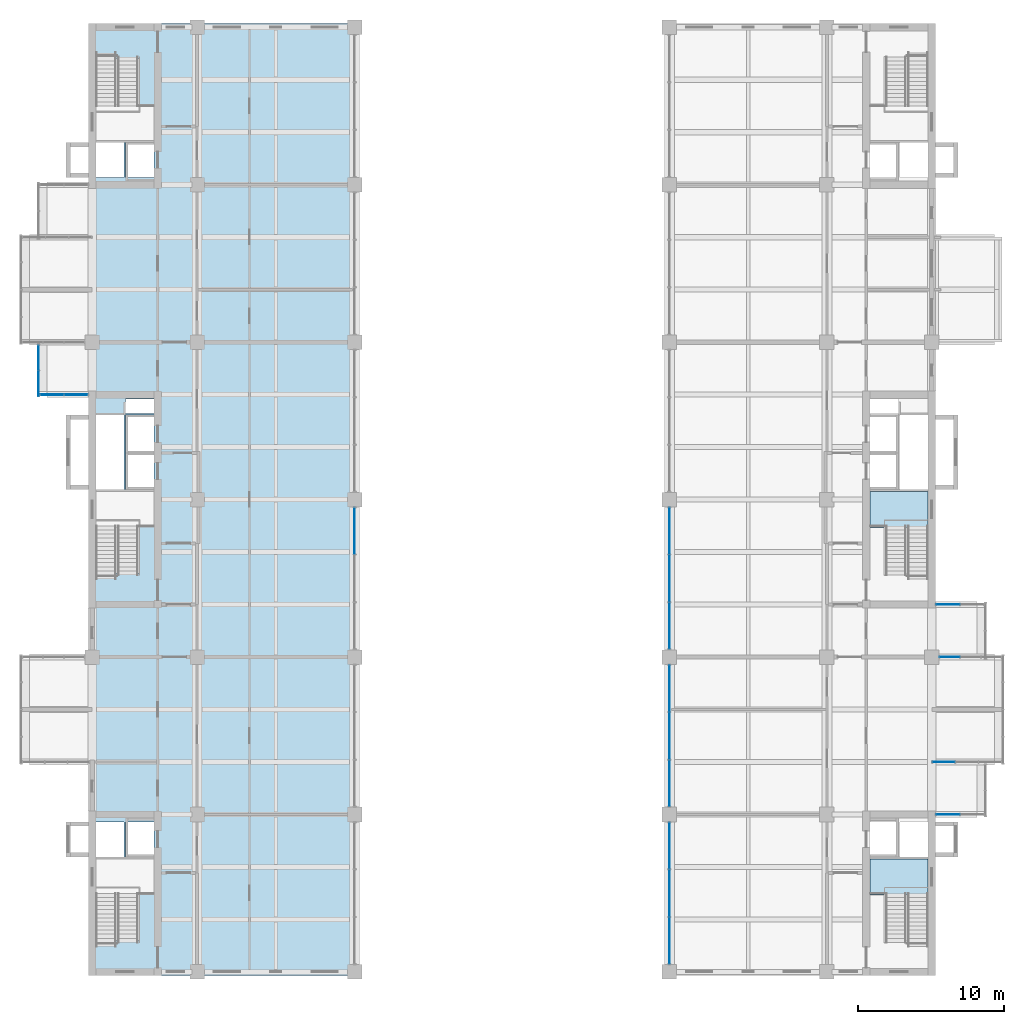
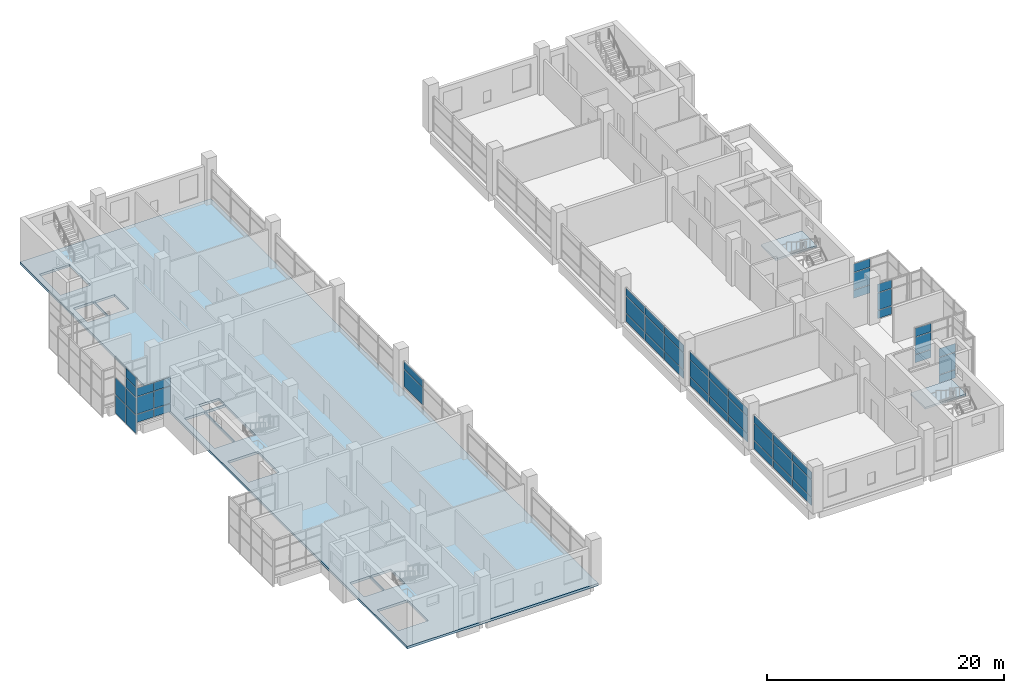
# One storey, part 17 of 30: 53 plates, 3 slabs, 12 elements without a shape of their own.
"""IFC4 building model written with IfcOpenShell, lengths in metres."""

from ifc_helpers import new_model, si_unit, direction, frame, origin, origin_2d, place, context, subcontext, project, spatial, polyline, rectangle, outline, extrude, material, layer, layer_set, type_object, element, aggregate, save


model = new_model("IFC4")

# Units and contexts
model_context = context("Model", 3, precision=1e-05, world=origin(), true_north=direction((0.0, 1.0)))
body_context = subcontext(model_context, "Body", "Model", "MODEL_VIEW")
ifc_project = project(units=[si_unit("LENGTHUNIT", "METRE"), si_unit("AREAUNIT", "SQUARE_METRE"), si_unit("VOLUMEUNIT", "CUBIC_METRE"), si_unit("PLANEANGLEUNIT", "RADIAN"), si_unit("MASSUNIT", "GRAM", prefix="KILO")], contexts=[model_context])

# Site, building, storey
site_placement = place(None, origin())
site = spatial("IfcSite", under=ifc_project, at=site_placement, CompositionType="ELEMENT")
building_placement = place(site_placement, origin())
building = spatial("IfcBuilding", under=site, at=building_placement, Name="Basin Gate Institute", CompositionType="ELEMENT")
storey_placement = place(building_placement, frame((0.0, 0.0, 36.60009765625)))
storey = spatial("IfcBuildingStorey", under=building, at=storey_placement, Name="L07", CompositionType="ELEMENT", Elevation=36.60009765625)

# Slab
ifc_material_1 = material(Name="Concrete 40 MPa", Category="concrete")
ifc_layer_1 = layer(ifc_material_1, 0.25)
ifc_layer_set_1 = layer_set([ifc_layer_1], Name="Concrete 40 MPa")
slab_type_1 = type_object("IfcSlabType", Name="Slab SL4 R120", PredefinedType="FLOOR", material=ifc_layer_set_1)
slab_1_placement = place(storey_placement, frame((0.0, 0.0, -0.25)))
element("IfcSlab", 1, at=slab_1_placement, inside=storey, type_object=slab_type_1, material=ifc_layer_set_1, Name="SLAB/L07/W", PredefinedType="FLOOR", context=body_context, shape_type="SweptSolid", body=[
    extrude(outline(polyline([(60.949951171875, 34.85009765625), (79.550048828125, 34.85009765625), (79.550048828125, 100.14990234375), (60.949951171875, 100.14990234375), (60.949951171875, 34.85009765625)]), holes=[polyline([(61.449951171875, 37.25), (64.39990234375, 37.25), (64.39990234375, 40.7900390625), (61.449951171875, 40.7900390625), (61.449951171875, 37.25)]), polyline([(61.449951171875, 62.449951171875), (64.39990234375, 62.449951171875), (64.39990234375, 65.989990234375), (61.449951171875, 65.989990234375), (61.449951171875, 62.449951171875)]), polyline([(61.449951171875, 94.2099609375), (64.39990234375, 94.2099609375), (64.39990234375, 97.75), (61.449951171875, 97.75), (61.449951171875, 94.2099609375)]), polyline([(61.449951171875, 43.0), (63.39990234375, 43.0), (63.39990234375, 45.39990234375), (61.449951171875, 45.39990234375), (61.449951171875, 43.0)]), polyline([(61.449951171875, 68.199951171875), (63.39990234375, 68.199951171875), (63.39990234375, 73.300048828125), (61.449951171875, 73.300048828125), (61.449951171875, 68.199951171875)]), polyline([(63.5, 73.39990234375), (65.449951171875, 73.39990234375), (65.449951171875, 74.39990234375), (63.5, 74.39990234375), (63.5, 73.39990234375)]), polyline([(61.449951171875, 89.60009765625), (63.39990234375, 89.60009765625), (63.39990234375, 92.0), (61.449951171875, 92.0), (61.449951171875, 89.60009765625)]), polyline([(63.5, 43.0), (65.449951171875, 43.0), (65.449951171875, 45.39990234375), (63.5, 45.39990234375), (63.5, 43.0)]), polyline([(65.449951171875, 68.199951171875), (63.5, 68.199951171875), (63.5, 73.300048828125), (65.449951171875, 73.300048828125), (65.449951171875, 68.199951171875)]), polyline([(63.5, 89.60009765625), (65.449951171875, 89.60009765625), (65.449951171875, 92.0), (63.5, 92.0), (63.5, 89.60009765625)])]), origin(), (0.0, 0.0, 1.0), 0.25),
])

# Curtain wall, plate
ifc_material_2 = material(Name="Aluminium-framed glazing", Category="aluminium")
ifc_layer_2 = layer(ifc_material_2, 0.199951171875)
ifc_layer_set_2 = layer_set([ifc_layer_2], Name="Atrium curtain wall CW2")
curtain_wall_type_1 = type_object("IfcCurtainWallType", Name="Atrium curtain wall CW2", PredefinedType="NOTDEFINED", material=ifc_layer_set_2)
curtain_wall_1_placement = place(storey_placement, origin())
curtain_wall_1 = element("IfcCurtainWall", 2, at=curtain_wall_1_placement, inside=storey, type_object=curtain_wall_type_1, material=ifc_layer_set_2, Name="Atrium curtain wall W wing atrium bay 3 L07", PredefinedType="NOTDEFINED")
ifc_material_3 = material(Name="Aluminium insulated spandrel panel", Category="aluminium")
ifc_layer_3 = layer(ifc_material_3, 0.050048828125)
ifc_layer_set_3 = layer_set([ifc_layer_3], Name="Spandrel panel PN2")
plate_type_1 = type_object("IfcPlateType", Name="Spandrel panel PN2", PredefinedType="CURTAIN_PANEL", material=ifc_layer_set_3)
plate_1_placement = place(storey_placement, frame((79.199951171875, 65.3515625, 2.72998046875), z_axis=(0.0, 0.0, 1.0), x_axis=(0.0, 1.0, 0.0)))
plate_1 = element("IfcPlate", 3, at=plate_1_placement, type_object=plate_type_1, material=ifc_layer_set_3, Name="CW2 spandrel panel 3.3", PredefinedType="CURTAIN_PANEL", context=body_context, shape_type="SweptSolid", body=[
    extrude(rectangle(XDim=3.1767578125, YDim=0.050048828125, at=origin_2d()), origin(), (0.0, 0.0, 1.0), 0.760009765625),
])

# Curtain wall, plates
ifc_material_4 = material(Name="Aluminium-framed glazing", Category="aluminium")
ifc_layer_4 = layer(ifc_material_4, 0.14990234375)
ifc_layer_set_4 = layer_set([ifc_layer_4], Name="Capsule front curtain wall CW1")
curtain_wall_type_2 = type_object("IfcCurtainWallType", Name="Capsule front curtain wall CW1", PredefinedType="NOTDEFINED", material=ifc_layer_set_4)
curtain_wall_2_placement = place(storey_placement, origin())
curtain_wall_2 = element("IfcCurtainWall", 4, at=curtain_wall_2_placement, inside=storey, type_object=curtain_wall_type_2, material=ifc_layer_set_4, Name="Capsule front curtain wall W wing capsule end L07 line 12", PredefinedType="NOTDEFINED")
plate_2_placement = place(storey_placement, frame((58.449951171875, 74.699951171875, 0.059814453125), z_axis=(0.0, 0.0, 1.0), x_axis=(1.0, 0.0, 0.0)))
plate_2 = element("IfcPlate", 5, at=plate_2_placement, type_object=plate_type_1, material=ifc_layer_set_3, Name="CW1 spandrel panel 1.1", PredefinedType="CURTAIN_PANEL", context=body_context, shape_type="SweptSolid", body=[
    extrude(rectangle(XDim=1.60009765625, YDim=0.050048828125, at=origin_2d()), origin(), (0.0, 0.0, 1.0), 0.81005859375),
])
plate_3_placement = place(storey_placement, frame((60.10009765625, 74.699951171875, 0.059814453125), z_axis=(0.0, 0.0, 1.0), x_axis=(1.0, 0.0, 0.0)))
plate_3 = element("IfcPlate", 6, at=plate_3_placement, type_object=plate_type_1, material=ifc_layer_set_3, Name="CW1 spandrel panel 2.1", PredefinedType="CURTAIN_PANEL", context=body_context, shape_type="SweptSolid", body=[
    extrude(rectangle(XDim=1.60009765625, YDim=0.050048828125, at=origin_2d()), origin(), (0.0, 0.0, 1.0), 0.81005859375),
])

curtain_wall_3_placement = place(storey_placement, origin())
curtain_wall_3 = element("IfcCurtainWall", 7, at=curtain_wall_3_placement, inside=storey, type_object=curtain_wall_type_2, material=ifc_layer_set_4, Name="Capsule front curtain wall W wing capsule 2 L07 front 1", PredefinedType="NOTDEFINED")
plate_4_placement = place(storey_placement, frame((57.52490234375, 75.46240234375, -0.990234375), z_axis=(0.0, 0.0, 1.0), x_axis=(0.0, 1.0, 0.0)))
plate_4 = element("IfcPlate", 8, at=plate_4_placement, type_object=plate_type_1, material=ifc_layer_set_3, Name="CW1 spandrel panel 1.1", PredefinedType="CURTAIN_PANEL", context=body_context, shape_type="SweptSolid", body=[
    extrude(rectangle(XDim=1.72509765625, YDim=0.050048828125, at=origin_2d()), origin(), (0.0, 0.0, 1.0), 1.860107421875),
])
plate_5_placement = place(storey_placement, frame((57.52490234375, 75.46240234375, 3.780029296875), z_axis=(0.0, 0.0, 1.0), x_axis=(0.0, 1.0, 0.0)))
plate_5 = element("IfcPlate", 9, at=plate_5_placement, type_object=plate_type_1, material=ifc_layer_set_3, Name="CW1 spandrel panel 1.4", PredefinedType="CURTAIN_PANEL", context=body_context, shape_type="SweptSolid", body=[
    extrude(rectangle(XDim=1.72509765625, YDim=0.050048828125, at=origin_2d()), origin(), (0.0, 0.0, 1.0), 0.9599609375),
])
plate_6_placement = place(storey_placement, frame((57.52490234375, 77.237548828125, -0.990234375), z_axis=(0.0, 0.0, 1.0), x_axis=(0.0, 1.0, 0.0)))
plate_6 = element("IfcPlate", 10, at=plate_6_placement, type_object=plate_type_1, material=ifc_layer_set_3, Name="CW1 spandrel panel 2.1", PredefinedType="CURTAIN_PANEL", context=body_context, shape_type="SweptSolid", body=[
    extrude(rectangle(XDim=1.72509765625, YDim=0.050048828125, at=origin_2d()), origin(), (0.0, 0.0, 1.0), 1.860107421875),
])

curtain_wall_4_placement = place(storey_placement, origin())
curtain_wall_4 = element("IfcCurtainWall", 11, at=curtain_wall_4_placement, inside=storey, type_object=curtain_wall_type_1, material=ifc_layer_set_2, Name="Atrium curtain wall E wing atrium bay 1 L07", PredefinedType="NOTDEFINED")
plate_7_placement = place(storey_placement, frame((100.800048828125, 37.248291015625, 0.059814453125), z_axis=(0.0, 0.0, 1.0), x_axis=(0.0, 1.0, 0.0)))
plate_7 = element("IfcPlate", 12, at=plate_7_placement, type_object=plate_type_1, material=ifc_layer_set_3, Name="CW2 spandrel panel 1.1", PredefinedType="CURTAIN_PANEL", context=body_context, shape_type="SweptSolid", body=[
    extrude(rectangle(XDim=3.1767578125, YDim=0.050048828125, at=origin_2d()), origin(), (0.0, 0.0, 1.0), 0.81005859375),
])
plate_8_placement = place(storey_placement, frame((100.800048828125, 37.248291015625, 2.72998046875), z_axis=(0.0, 0.0, 1.0), x_axis=(0.0, 1.0, 0.0)))
plate_8 = element("IfcPlate", 13, at=plate_8_placement, type_object=plate_type_1, material=ifc_layer_set_3, Name="CW2 spandrel panel 1.3", PredefinedType="CURTAIN_PANEL", context=body_context, shape_type="SweptSolid", body=[
    extrude(rectangle(XDim=3.1767578125, YDim=0.050048828125, at=origin_2d()), origin(), (0.0, 0.0, 1.0), 0.760009765625),
])
plate_9_placement = place(storey_placement, frame((100.800048828125, 40.5, 0.059814453125), z_axis=(0.0, 0.0, 1.0), x_axis=(0.0, 1.0, 0.0)))
plate_9 = element("IfcPlate", 14, at=plate_9_placement, type_object=plate_type_1, material=ifc_layer_set_3, Name="CW2 spandrel panel 2.1", PredefinedType="CURTAIN_PANEL", context=body_context, shape_type="SweptSolid", body=[
    extrude(rectangle(XDim=3.206787109375, YDim=0.050048828125, at=origin_2d()), origin(), (0.0, 0.0, 1.0), 0.81005859375),
])
plate_10_placement = place(storey_placement, frame((100.800048828125, 40.5, 2.72998046875), z_axis=(0.0, 0.0, 1.0), x_axis=(0.0, 1.0, 0.0)))
plate_10 = element("IfcPlate", 15, at=plate_10_placement, type_object=plate_type_1, material=ifc_layer_set_3, Name="CW2 spandrel panel 2.3", PredefinedType="CURTAIN_PANEL", context=body_context, shape_type="SweptSolid", body=[
    extrude(rectangle(XDim=3.206787109375, YDim=0.050048828125, at=origin_2d()), origin(), (0.0, 0.0, 1.0), 0.760009765625),
])
plate_11_placement = place(storey_placement, frame((100.800048828125, 43.751708984375, 0.059814453125), z_axis=(0.0, 0.0, 1.0), x_axis=(0.0, 1.0, 0.0)))
plate_11 = element("IfcPlate", 16, at=plate_11_placement, type_object=plate_type_1, material=ifc_layer_set_3, Name="CW2 spandrel panel 3.1", PredefinedType="CURTAIN_PANEL", context=body_context, shape_type="SweptSolid", body=[
    extrude(rectangle(XDim=3.1767578125, YDim=0.050048828125, at=origin_2d()), origin(), (0.0, 0.0, 1.0), 0.81005859375),
])
plate_12_placement = place(storey_placement, frame((100.800048828125, 43.751708984375, 2.72998046875), z_axis=(0.0, 0.0, 1.0), x_axis=(0.0, 1.0, 0.0)))
plate_12 = element("IfcPlate", 17, at=plate_12_placement, type_object=plate_type_1, material=ifc_layer_set_3, Name="CW2 spandrel panel 3.3", PredefinedType="CURTAIN_PANEL", context=body_context, shape_type="SweptSolid", body=[
    extrude(rectangle(XDim=3.1767578125, YDim=0.050048828125, at=origin_2d()), origin(), (0.0, 0.0, 1.0), 0.760009765625),
])

curtain_wall_5_placement = place(storey_placement, origin())
curtain_wall_5 = element("IfcCurtainWall", 18, at=curtain_wall_5_placement, inside=storey, type_object=curtain_wall_type_1, material=ifc_layer_set_2, Name="Atrium curtain wall E wing atrium bay 2 L07", PredefinedType="NOTDEFINED")
plate_13_placement = place(storey_placement, frame((100.800048828125, 48.04833984375, 0.059814453125), z_axis=(0.0, 0.0, 1.0), x_axis=(0.0, 1.0, 0.0)))
plate_13 = element("IfcPlate", 19, at=plate_13_placement, type_object=plate_type_1, material=ifc_layer_set_3, Name="CW2 spandrel panel 1.1", PredefinedType="CURTAIN_PANEL", context=body_context, shape_type="SweptSolid", body=[
    extrude(rectangle(XDim=3.1767578125, YDim=0.050048828125, at=origin_2d()), origin(), (0.0, 0.0, 1.0), 0.81005859375),
])
plate_14_placement = place(storey_placement, frame((100.800048828125, 48.04833984375, 2.72998046875), z_axis=(0.0, 0.0, 1.0), x_axis=(0.0, 1.0, 0.0)))
plate_14 = element("IfcPlate", 20, at=plate_14_placement, type_object=plate_type_1, material=ifc_layer_set_3, Name="CW2 spandrel panel 1.3", PredefinedType="CURTAIN_PANEL", context=body_context, shape_type="SweptSolid", body=[
    extrude(rectangle(XDim=3.1767578125, YDim=0.050048828125, at=origin_2d()), origin(), (0.0, 0.0, 1.0), 0.760009765625),
])
plate_15_placement = place(storey_placement, frame((100.800048828125, 51.300048828125, 0.059814453125), z_axis=(0.0, 0.0, 1.0), x_axis=(0.0, 1.0, 0.0)))
plate_15 = element("IfcPlate", 21, at=plate_15_placement, type_object=plate_type_1, material=ifc_layer_set_3, Name="CW2 spandrel panel 2.1", PredefinedType="CURTAIN_PANEL", context=body_context, shape_type="SweptSolid", body=[
    extrude(rectangle(XDim=3.206787109375, YDim=0.050048828125, at=origin_2d()), origin(), (0.0, 0.0, 1.0), 0.81005859375),
])
plate_16_placement = place(storey_placement, frame((100.800048828125, 51.300048828125, 2.72998046875), z_axis=(0.0, 0.0, 1.0), x_axis=(0.0, 1.0, 0.0)))
plate_16 = element("IfcPlate", 22, at=plate_16_placement, type_object=plate_type_1, material=ifc_layer_set_3, Name="CW2 spandrel panel 2.3", PredefinedType="CURTAIN_PANEL", context=body_context, shape_type="SweptSolid", body=[
    extrude(rectangle(XDim=3.206787109375, YDim=0.050048828125, at=origin_2d()), origin(), (0.0, 0.0, 1.0), 0.760009765625),
])
plate_17_placement = place(storey_placement, frame((100.800048828125, 54.5517578125, 0.059814453125), z_axis=(0.0, 0.0, 1.0), x_axis=(0.0, 1.0, 0.0)))
plate_17 = element("IfcPlate", 23, at=plate_17_placement, type_object=plate_type_1, material=ifc_layer_set_3, Name="CW2 spandrel panel 3.1", PredefinedType="CURTAIN_PANEL", context=body_context, shape_type="SweptSolid", body=[
    extrude(rectangle(XDim=3.1767578125, YDim=0.050048828125, at=origin_2d()), origin(), (0.0, 0.0, 1.0), 0.81005859375),
])
plate_18_placement = place(storey_placement, frame((100.800048828125, 54.5517578125, 2.72998046875), z_axis=(0.0, 0.0, 1.0), x_axis=(0.0, 1.0, 0.0)))
plate_18 = element("IfcPlate", 24, at=plate_18_placement, type_object=plate_type_1, material=ifc_layer_set_3, Name="CW2 spandrel panel 3.3", PredefinedType="CURTAIN_PANEL", context=body_context, shape_type="SweptSolid", body=[
    extrude(rectangle(XDim=3.1767578125, YDim=0.050048828125, at=origin_2d()), origin(), (0.0, 0.0, 1.0), 0.760009765625),
])

curtain_wall_6_placement = place(storey_placement, origin())
curtain_wall_6 = element("IfcCurtainWall", 25, at=curtain_wall_6_placement, inside=storey, type_object=curtain_wall_type_1, material=ifc_layer_set_2, Name="Atrium curtain wall E wing atrium bay 3 L07", PredefinedType="NOTDEFINED")
plate_19_placement = place(storey_placement, frame((100.800048828125, 58.848388671875, 0.059814453125), z_axis=(0.0, 0.0, 1.0), x_axis=(0.0, 1.0, 0.0)))
plate_19 = element("IfcPlate", 26, at=plate_19_placement, type_object=plate_type_1, material=ifc_layer_set_3, Name="CW2 spandrel panel 1.1", PredefinedType="CURTAIN_PANEL", context=body_context, shape_type="SweptSolid", body=[
    extrude(rectangle(XDim=3.1767578125, YDim=0.050048828125, at=origin_2d()), origin(), (0.0, 0.0, 1.0), 0.81005859375),
])
plate_20_placement = place(storey_placement, frame((100.800048828125, 58.848388671875, 2.72998046875), z_axis=(0.0, 0.0, 1.0), x_axis=(0.0, 1.0, 0.0)))
plate_20 = element("IfcPlate", 27, at=plate_20_placement, type_object=plate_type_1, material=ifc_layer_set_3, Name="CW2 spandrel panel 1.3", PredefinedType="CURTAIN_PANEL", context=body_context, shape_type="SweptSolid", body=[
    extrude(rectangle(XDim=3.1767578125, YDim=0.050048828125, at=origin_2d()), origin(), (0.0, 0.0, 1.0), 0.760009765625),
])
plate_21_placement = place(storey_placement, frame((100.800048828125, 62.10009765625, 0.059814453125), z_axis=(0.0, 0.0, 1.0), x_axis=(0.0, 1.0, 0.0)))
plate_21 = element("IfcPlate", 28, at=plate_21_placement, type_object=plate_type_1, material=ifc_layer_set_3, Name="CW2 spandrel panel 2.1", PredefinedType="CURTAIN_PANEL", context=body_context, shape_type="SweptSolid", body=[
    extrude(rectangle(XDim=3.206787109375, YDim=0.050048828125, at=origin_2d()), origin(), (0.0, 0.0, 1.0), 0.81005859375),
])
plate_22_placement = place(storey_placement, frame((100.800048828125, 62.10009765625, 2.72998046875), z_axis=(0.0, 0.0, 1.0), x_axis=(0.0, 1.0, 0.0)))
plate_22 = element("IfcPlate", 29, at=plate_22_placement, type_object=plate_type_1, material=ifc_layer_set_3, Name="CW2 spandrel panel 2.3", PredefinedType="CURTAIN_PANEL", context=body_context, shape_type="SweptSolid", body=[
    extrude(rectangle(XDim=3.206787109375, YDim=0.050048828125, at=origin_2d()), origin(), (0.0, 0.0, 1.0), 0.760009765625),
])
plate_23_placement = place(storey_placement, frame((100.800048828125, 65.3515625, 0.059814453125), z_axis=(0.0, 0.0, 1.0), x_axis=(0.0, 1.0, 0.0)))
plate_23 = element("IfcPlate", 30, at=plate_23_placement, type_object=plate_type_1, material=ifc_layer_set_3, Name="CW2 spandrel panel 3.1", PredefinedType="CURTAIN_PANEL", context=body_context, shape_type="SweptSolid", body=[
    extrude(rectangle(XDim=3.1767578125, YDim=0.050048828125, at=origin_2d()), origin(), (0.0, 0.0, 1.0), 0.81005859375),
])
plate_24_placement = place(storey_placement, frame((100.800048828125, 65.3515625, 2.72998046875), z_axis=(0.0, 0.0, 1.0), x_axis=(0.0, 1.0, 0.0)))
plate_24 = element("IfcPlate", 31, at=plate_24_placement, type_object=plate_type_1, material=ifc_layer_set_3, Name="CW2 spandrel panel 3.3", PredefinedType="CURTAIN_PANEL", context=body_context, shape_type="SweptSolid", body=[
    extrude(rectangle(XDim=3.1767578125, YDim=0.050048828125, at=origin_2d()), origin(), (0.0, 0.0, 1.0), 0.760009765625),
])

# Curtain wall, plate
curtain_wall_7_placement = place(storey_placement, origin())
curtain_wall_7 = element("IfcCurtainWall", 32, at=curtain_wall_7_placement, inside=storey, type_object=curtain_wall_type_2, material=ifc_layer_set_4, Name="Capsule front curtain wall E wing capsule end L07 line 4", PredefinedType="NOTDEFINED")
plate_25_placement = place(storey_placement, frame((119.89990234375, 45.89990234375, 0.059814453125), z_axis=(0.0, 0.0, 1.0), x_axis=(-1.0, 0.0, 0.0)))
plate_25 = element("IfcPlate", 33, at=plate_25_placement, type_object=plate_type_1, material=ifc_layer_set_3, Name="CW1 spandrel panel 2.1", PredefinedType="CURTAIN_PANEL", context=body_context, shape_type="SweptSolid", body=[
    extrude(rectangle(XDim=1.60009765625, YDim=0.050048828125, at=origin_2d()), origin(), (0.0, 0.0, 1.0), 0.81005859375),
])

curtain_wall_8_placement = place(storey_placement, origin())
curtain_wall_8 = element("IfcCurtainWall", 34, at=curtain_wall_8_placement, inside=storey, type_object=curtain_wall_type_2, material=ifc_layer_set_4, Name="Capsule front curtain wall E wing capsule end L07 line 5", PredefinedType="NOTDEFINED")
plate_26_placement = place(storey_placement, frame((119.612548828125, 49.5, 0.059814453125), z_axis=(0.0, 0.0, 1.0), x_axis=(-1.0, 0.0, 0.0)))
plate_26 = element("IfcPlate", 35, at=plate_26_placement, type_object=plate_type_1, material=ifc_layer_set_3, Name="CW1 spandrel panel 3.1", PredefinedType="CURTAIN_PANEL", context=body_context, shape_type="SweptSolid", body=[
    extrude(rectangle(XDim=1.52490234375, YDim=0.050048828125, at=origin_2d()), origin(), (0.0, 0.0, 1.0), 0.81005859375),
])

curtain_wall_9_placement = place(storey_placement, origin())
curtain_wall_9 = element("IfcCurtainWall", 36, at=curtain_wall_9_placement, inside=storey, type_object=curtain_wall_type_2, material=ifc_layer_set_4, Name="Capsule front curtain wall E wing capsule end L07 line 7", PredefinedType="NOTDEFINED")
plate_27_placement = place(storey_placement, frame((120.029052734375, 56.699951171875, 0.059814453125), z_axis=(0.0, 0.0, 1.0), x_axis=(-1.0, 0.0, 0.0)))
plate_27 = element("IfcPlate", 37, at=plate_27_placement, type_object=plate_type_1, material=ifc_layer_set_3, Name="CW1 spandrel panel 3.1", PredefinedType="CURTAIN_PANEL", context=body_context, shape_type="SweptSolid", body=[
    extrude(rectangle(XDim=1.3583984375, YDim=0.050048828125, at=origin_2d()), origin(), (0.0, 0.0, 1.0), 0.81005859375),
])

curtain_wall_10_placement = place(storey_placement, origin())
curtain_wall_10 = element("IfcCurtainWall", 38, at=curtain_wall_10_placement, inside=storey, type_object=curtain_wall_type_2, material=ifc_layer_set_4, Name="Capsule front curtain wall E wing capsule end L07 line 8", PredefinedType="NOTDEFINED")
plate_28_placement = place(storey_placement, frame((119.89990234375, 60.300048828125, 0.059814453125), z_axis=(0.0, 0.0, 1.0), x_axis=(-1.0, 0.0, 0.0)))
plate_28 = element("IfcPlate", 39, at=plate_28_placement, type_object=plate_type_1, material=ifc_layer_set_3, Name="CW1 spandrel panel 2.1", PredefinedType="CURTAIN_PANEL", context=body_context, shape_type="SweptSolid", body=[
    extrude(rectangle(XDim=1.60009765625, YDim=0.050048828125, at=origin_2d()), origin(), (0.0, 0.0, 1.0), 0.81005859375),
])

# Stair, slab
ifc_material_5 = material(Name="Concrete 40 MPa", Category="concrete")
stair_type = type_object("IfcStairType", Name="Stair ST", PredefinedType="HALF_TURN_STAIR", material=ifc_material_5)
stair_1_placement = place(storey_placement, origin())
stair_1 = element("IfcStair", 40, at=stair_1_placement, inside=storey, type_object=stair_type, material=ifc_material_5, Name="Special safe stair ST-ES L07", PredefinedType="HALF_TURN_STAIR")
ifc_material_6 = material(Name="Concrete 40 MPa", Category="concrete")
ifc_layer_5 = layer(ifc_material_6, 0.199951171875)
ifc_layer_set_5 = layer_set([ifc_layer_5], Name="Concrete 40 MPa")
slab_type_2 = type_object("IfcSlabType", Name="Stair landing LN REI 120", PredefinedType="LANDING", material=ifc_layer_set_5)
slab_2_placement = place(storey_placement, frame((0.0, 0.0, 2.288818359375)))
slab_2 = element("IfcSlab", 41, at=slab_2_placement, type_object=slab_type_2, material=ifc_layer_set_5, Name="Stair landing ST-ES-L1 L07", PredefinedType="LANDING", context=body_context, shape_type="SweptSolid", body=[
    extrude(outline(polyline([(118.550048828125, 42.85009765625), (114.550048828125, 42.85009765625), (114.550048828125, 40.3701171875), (118.550048828125, 40.3701171875), (118.550048828125, 42.85009765625)])), origin(), (0.0, 0.0, 1.0), 0.199951171875),
])
aggregate(stair_1, [slab_2])

stair_2_placement = place(storey_placement, origin())
stair_2 = element("IfcStair", 42, at=stair_2_placement, inside=storey, type_object=stair_type, material=ifc_material_5, Name="Special safe stair ST-EM L07", PredefinedType="HALF_TURN_STAIR")
slab_3_placement = place(storey_placement, frame((0.0, 0.0, 2.288818359375)))
slab_3 = element("IfcSlab", 43, at=slab_3_placement, type_object=slab_type_2, material=ifc_layer_set_5, Name="Stair landing ST-EM-L1 L07", PredefinedType="LANDING", context=body_context, shape_type="SweptSolid", body=[
    extrude(outline(polyline([(118.550048828125, 68.050048828125), (114.550048828125, 68.050048828125), (114.550048828125, 65.570068359375), (118.550048828125, 65.570068359375), (118.550048828125, 68.050048828125)])), origin(), (0.0, 0.0, 1.0), 0.199951171875),
])
aggregate(stair_2, [slab_3])

# Plate
ifc_material_7 = material(Name="Double glazed unit")
ifc_layer_6 = layer(ifc_material_7, 0.028076171875)
ifc_layer_set_6 = layer_set([ifc_layer_6], Name="Vision panel PN1")
plate_type_2 = type_object("IfcPlateType", Name="Vision panel PN1", PredefinedType="CURTAIN_PANEL", material=ifc_layer_set_6)
plate_29_placement = place(storey_placement, frame((79.199951171875, 65.3515625, 0.9296875), z_axis=(0.0, 0.0, 1.0), x_axis=(0.0, 1.0, 0.0)))
plate_29 = element("IfcPlate", 44, at=plate_29_placement, type_object=plate_type_2, material=ifc_layer_set_6, Name="CW2 vision panel 3.2", PredefinedType="CURTAIN_PANEL", context=body_context, shape_type="SweptSolid", body=[
    extrude(rectangle(XDim=3.1767578125, YDim=0.028076171875, at=origin_2d()), origin(), (0.0, 0.0, 1.0), 1.739990234375),
])

aggregate(curtain_wall_1, [plate_29, plate_1])

plate_30_placement = place(storey_placement, frame((58.449951171875, 74.699951171875, 0.9296875), z_axis=(0.0, 0.0, 1.0), x_axis=(1.0, 0.0, 0.0)))
plate_30 = element("IfcPlate", 45, at=plate_30_placement, type_object=plate_type_2, material=ifc_layer_set_6, Name="CW1 vision panel 1.2", PredefinedType="CURTAIN_PANEL", context=body_context, shape_type="SweptSolid", body=[
    extrude(rectangle(XDim=1.60009765625, YDim=0.028076171875, at=origin_2d()), origin(), (0.0, 0.0, 1.0), 1.739990234375),
])

plate_31_placement = place(storey_placement, frame((58.449951171875, 74.699951171875, 2.72998046875), z_axis=(0.0, 0.0, 1.0), x_axis=(1.0, 0.0, 0.0)))
plate_31 = element("IfcPlate", 46, at=plate_31_placement, type_object=plate_type_2, material=ifc_layer_set_6, Name="CW1 vision panel 1.3", PredefinedType="CURTAIN_PANEL", context=body_context, shape_type="SweptSolid", body=[
    extrude(rectangle(XDim=1.60009765625, YDim=0.028076171875, at=origin_2d()), origin(), (0.0, 0.0, 1.0), 0.860107421875),
])

plate_32_placement = place(storey_placement, frame((60.10009765625, 74.699951171875, 0.9296875), z_axis=(0.0, 0.0, 1.0), x_axis=(1.0, 0.0, 0.0)))
plate_32 = element("IfcPlate", 47, at=plate_32_placement, type_object=plate_type_2, material=ifc_layer_set_6, Name="CW1 vision panel 2.2", PredefinedType="CURTAIN_PANEL", context=body_context, shape_type="SweptSolid", body=[
    extrude(rectangle(XDim=1.60009765625, YDim=0.028076171875, at=origin_2d()), origin(), (0.0, 0.0, 1.0), 1.739990234375),
])

plate_33_placement = place(storey_placement, frame((60.10009765625, 74.699951171875, 2.72998046875), z_axis=(0.0, 0.0, 1.0), x_axis=(1.0, 0.0, 0.0)))
plate_33 = element("IfcPlate", 48, at=plate_33_placement, type_object=plate_type_2, material=ifc_layer_set_6, Name="CW1 vision panel 2.3", PredefinedType="CURTAIN_PANEL", context=body_context, shape_type="SweptSolid", body=[
    extrude(rectangle(XDim=1.60009765625, YDim=0.028076171875, at=origin_2d()), origin(), (0.0, 0.0, 1.0), 0.860107421875),
])

aggregate(curtain_wall_2, [plate_2, plate_30, plate_31, plate_3, plate_32, plate_33])

plate_34_placement = place(storey_placement, frame((57.52490234375, 75.46240234375, 0.9296875), z_axis=(0.0, 0.0, 1.0), x_axis=(0.0, 1.0, 0.0)))
plate_34 = element("IfcPlate", 49, at=plate_34_placement, type_object=plate_type_2, material=ifc_layer_set_6, Name="CW1 vision panel 1.2", PredefinedType="CURTAIN_PANEL", context=body_context, shape_type="SweptSolid", body=[
    extrude(rectangle(XDim=1.72509765625, YDim=0.028076171875, at=origin_2d()), origin(), (0.0, 0.0, 1.0), 1.739990234375),
])

plate_35_placement = place(storey_placement, frame((57.52490234375, 75.46240234375, 2.72998046875), z_axis=(0.0, 0.0, 1.0), x_axis=(0.0, 1.0, 0.0)))
plate_35 = element("IfcPlate", 50, at=plate_35_placement, type_object=plate_type_2, material=ifc_layer_set_6, Name="CW1 vision panel 1.3", PredefinedType="CURTAIN_PANEL", context=body_context, shape_type="SweptSolid", body=[
    extrude(rectangle(XDim=1.72509765625, YDim=0.028076171875, at=origin_2d()), origin(), (0.0, 0.0, 1.0), 0.989990234375),
])

plate_36_placement = place(storey_placement, frame((57.52490234375, 77.237548828125, 0.9296875), z_axis=(0.0, 0.0, 1.0), x_axis=(0.0, 1.0, 0.0)))
plate_36 = element("IfcPlate", 51, at=plate_36_placement, type_object=plate_type_2, material=ifc_layer_set_6, Name="CW1 vision panel 2.2", PredefinedType="CURTAIN_PANEL", context=body_context, shape_type="SweptSolid", body=[
    extrude(rectangle(XDim=1.72509765625, YDim=0.028076171875, at=origin_2d()), origin(), (0.0, 0.0, 1.0), 1.739990234375),
])

aggregate(curtain_wall_3, [plate_4, plate_34, plate_35, plate_5, plate_6, plate_36])

plate_37_placement = place(storey_placement, frame((100.800048828125, 37.248291015625, 0.9296875), z_axis=(0.0, 0.0, 1.0), x_axis=(0.0, 1.0, 0.0)))
plate_37 = element("IfcPlate", 52, at=plate_37_placement, type_object=plate_type_2, material=ifc_layer_set_6, Name="CW2 vision panel 1.2", PredefinedType="CURTAIN_PANEL", context=body_context, shape_type="SweptSolid", body=[
    extrude(rectangle(XDim=3.1767578125, YDim=0.028076171875, at=origin_2d()), origin(), (0.0, 0.0, 1.0), 1.739990234375),
])

plate_38_placement = place(storey_placement, frame((100.800048828125, 40.5, 0.9296875), z_axis=(0.0, 0.0, 1.0), x_axis=(0.0, 1.0, 0.0)))
plate_38 = element("IfcPlate", 53, at=plate_38_placement, type_object=plate_type_2, material=ifc_layer_set_6, Name="CW2 vision panel 2.2", PredefinedType="CURTAIN_PANEL", context=body_context, shape_type="SweptSolid", body=[
    extrude(rectangle(XDim=3.206787109375, YDim=0.028076171875, at=origin_2d()), origin(), (0.0, 0.0, 1.0), 1.739990234375),
])

plate_39_placement = place(storey_placement, frame((100.800048828125, 43.751708984375, 0.9296875), z_axis=(0.0, 0.0, 1.0), x_axis=(0.0, 1.0, 0.0)))
plate_39 = element("IfcPlate", 54, at=plate_39_placement, type_object=plate_type_2, material=ifc_layer_set_6, Name="CW2 vision panel 3.2", PredefinedType="CURTAIN_PANEL", context=body_context, shape_type="SweptSolid", body=[
    extrude(rectangle(XDim=3.1767578125, YDim=0.028076171875, at=origin_2d()), origin(), (0.0, 0.0, 1.0), 1.739990234375),
])

aggregate(curtain_wall_4, [plate_7, plate_37, plate_8, plate_9, plate_38, plate_10, plate_11, plate_39, plate_12])

plate_40_placement = place(storey_placement, frame((100.800048828125, 48.04833984375, 0.9296875), z_axis=(0.0, 0.0, 1.0), x_axis=(0.0, 1.0, 0.0)))
plate_40 = element("IfcPlate", 55, at=plate_40_placement, type_object=plate_type_2, material=ifc_layer_set_6, Name="CW2 vision panel 1.2", PredefinedType="CURTAIN_PANEL", context=body_context, shape_type="SweptSolid", body=[
    extrude(rectangle(XDim=3.1767578125, YDim=0.028076171875, at=origin_2d()), origin(), (0.0, 0.0, 1.0), 1.739990234375),
])

plate_41_placement = place(storey_placement, frame((100.800048828125, 51.300048828125, 0.9296875), z_axis=(0.0, 0.0, 1.0), x_axis=(0.0, 1.0, 0.0)))
plate_41 = element("IfcPlate", 56, at=plate_41_placement, type_object=plate_type_2, material=ifc_layer_set_6, Name="CW2 vision panel 2.2", PredefinedType="CURTAIN_PANEL", context=body_context, shape_type="SweptSolid", body=[
    extrude(rectangle(XDim=3.206787109375, YDim=0.028076171875, at=origin_2d()), origin(), (0.0, 0.0, 1.0), 1.739990234375),
])

plate_42_placement = place(storey_placement, frame((100.800048828125, 54.5517578125, 0.9296875), z_axis=(0.0, 0.0, 1.0), x_axis=(0.0, 1.0, 0.0)))
plate_42 = element("IfcPlate", 57, at=plate_42_placement, type_object=plate_type_2, material=ifc_layer_set_6, Name="CW2 vision panel 3.2", PredefinedType="CURTAIN_PANEL", context=body_context, shape_type="SweptSolid", body=[
    extrude(rectangle(XDim=3.1767578125, YDim=0.028076171875, at=origin_2d()), origin(), (0.0, 0.0, 1.0), 1.739990234375),
])

aggregate(curtain_wall_5, [plate_13, plate_40, plate_14, plate_15, plate_41, plate_16, plate_17, plate_42, plate_18])

plate_43_placement = place(storey_placement, frame((100.800048828125, 58.848388671875, 0.9296875), z_axis=(0.0, 0.0, 1.0), x_axis=(0.0, 1.0, 0.0)))
plate_43 = element("IfcPlate", 58, at=plate_43_placement, type_object=plate_type_2, material=ifc_layer_set_6, Name="CW2 vision panel 1.2", PredefinedType="CURTAIN_PANEL", context=body_context, shape_type="SweptSolid", body=[
    extrude(rectangle(XDim=3.1767578125, YDim=0.028076171875, at=origin_2d()), origin(), (0.0, 0.0, 1.0), 1.739990234375),
])

plate_44_placement = place(storey_placement, frame((100.800048828125, 62.10009765625, 0.9296875), z_axis=(0.0, 0.0, 1.0), x_axis=(0.0, 1.0, 0.0)))
plate_44 = element("IfcPlate", 59, at=plate_44_placement, type_object=plate_type_2, material=ifc_layer_set_6, Name="CW2 vision panel 2.2", PredefinedType="CURTAIN_PANEL", context=body_context, shape_type="SweptSolid", body=[
    extrude(rectangle(XDim=3.206787109375, YDim=0.028076171875, at=origin_2d()), origin(), (0.0, 0.0, 1.0), 1.739990234375),
])

plate_45_placement = place(storey_placement, frame((100.800048828125, 65.3515625, 0.9296875), z_axis=(0.0, 0.0, 1.0), x_axis=(0.0, 1.0, 0.0)))
plate_45 = element("IfcPlate", 60, at=plate_45_placement, type_object=plate_type_2, material=ifc_layer_set_6, Name="CW2 vision panel 3.2", PredefinedType="CURTAIN_PANEL", context=body_context, shape_type="SweptSolid", body=[
    extrude(rectangle(XDim=3.1767578125, YDim=0.028076171875, at=origin_2d()), origin(), (0.0, 0.0, 1.0), 1.739990234375),
])

aggregate(curtain_wall_6, [plate_19, plate_43, plate_20, plate_21, plate_44, plate_22, plate_23, plate_45, plate_24])

plate_46_placement = place(storey_placement, frame((119.89990234375, 45.89990234375, 0.9296875), z_axis=(0.0, 0.0, 1.0), x_axis=(-1.0, 0.0, 0.0)))
plate_46 = element("IfcPlate", 61, at=plate_46_placement, type_object=plate_type_2, material=ifc_layer_set_6, Name="CW1 vision panel 2.2", PredefinedType="CURTAIN_PANEL", context=body_context, shape_type="SweptSolid", body=[
    extrude(rectangle(XDim=1.60009765625, YDim=0.028076171875, at=origin_2d()), origin(), (0.0, 0.0, 1.0), 1.739990234375),
])

plate_47_placement = place(storey_placement, frame((119.89990234375, 45.89990234375, 2.72998046875), z_axis=(0.0, 0.0, 1.0), x_axis=(-1.0, 0.0, 0.0)))
plate_47 = element("IfcPlate", 62, at=plate_47_placement, type_object=plate_type_2, material=ifc_layer_set_6, Name="CW1 vision panel 2.3", PredefinedType="CURTAIN_PANEL", context=body_context, shape_type="SweptSolid", body=[
    extrude(rectangle(XDim=1.60009765625, YDim=0.028076171875, at=origin_2d()), origin(), (0.0, 0.0, 1.0), 0.860107421875),
])

aggregate(curtain_wall_7, [plate_25, plate_46, plate_47])

plate_48_placement = place(storey_placement, frame((119.612548828125, 49.5, 0.9296875), z_axis=(0.0, 0.0, 1.0), x_axis=(-1.0, 0.0, 0.0)))
plate_48 = element("IfcPlate", 63, at=plate_48_placement, type_object=plate_type_2, material=ifc_layer_set_6, Name="CW1 vision panel 3.2", PredefinedType="CURTAIN_PANEL", context=body_context, shape_type="SweptSolid", body=[
    extrude(rectangle(XDim=1.52490234375, YDim=0.028076171875, at=origin_2d()), origin(), (0.0, 0.0, 1.0), 1.739990234375),
])

plate_49_placement = place(storey_placement, frame((119.612548828125, 49.5, 2.72998046875), z_axis=(0.0, 0.0, 1.0), x_axis=(-1.0, 0.0, 0.0)))
plate_49 = element("IfcPlate", 64, at=plate_49_placement, type_object=plate_type_2, material=ifc_layer_set_6, Name="CW1 vision panel 3.3", PredefinedType="CURTAIN_PANEL", context=body_context, shape_type="SweptSolid", body=[
    extrude(rectangle(XDim=1.52490234375, YDim=0.028076171875, at=origin_2d()), origin(), (0.0, 0.0, 1.0), 0.860107421875),
])

aggregate(curtain_wall_8, [plate_26, plate_48, plate_49])

plate_50_placement = place(storey_placement, frame((120.029052734375, 56.699951171875, 0.9296875), z_axis=(0.0, 0.0, 1.0), x_axis=(-1.0, 0.0, 0.0)))
plate_50 = element("IfcPlate", 65, at=plate_50_placement, type_object=plate_type_2, material=ifc_layer_set_6, Name="CW1 vision panel 3.2", PredefinedType="CURTAIN_PANEL", context=body_context, shape_type="SweptSolid", body=[
    extrude(rectangle(XDim=1.3583984375, YDim=0.028076171875, at=origin_2d()), origin(), (0.0, 0.0, 1.0), 1.739990234375),
])

plate_51_placement = place(storey_placement, frame((120.029052734375, 56.699951171875, 2.72998046875), z_axis=(0.0, 0.0, 1.0), x_axis=(-1.0, 0.0, 0.0)))
plate_51 = element("IfcPlate", 66, at=plate_51_placement, type_object=plate_type_2, material=ifc_layer_set_6, Name="CW1 vision panel 3.3", PredefinedType="CURTAIN_PANEL", context=body_context, shape_type="SweptSolid", body=[
    extrude(rectangle(XDim=1.3583984375, YDim=0.028076171875, at=origin_2d()), origin(), (0.0, 0.0, 1.0), 0.860107421875),
])

aggregate(curtain_wall_9, [plate_27, plate_50, plate_51])

plate_52_placement = place(storey_placement, frame((119.89990234375, 60.300048828125, 0.9296875), z_axis=(0.0, 0.0, 1.0), x_axis=(-1.0, 0.0, 0.0)))
plate_52 = element("IfcPlate", 67, at=plate_52_placement, type_object=plate_type_2, material=ifc_layer_set_6, Name="CW1 vision panel 2.2", PredefinedType="CURTAIN_PANEL", context=body_context, shape_type="SweptSolid", body=[
    extrude(rectangle(XDim=1.60009765625, YDim=0.028076171875, at=origin_2d()), origin(), (0.0, 0.0, 1.0), 1.739990234375),
])

plate_53_placement = place(storey_placement, frame((119.89990234375, 60.300048828125, 2.72998046875), z_axis=(0.0, 0.0, 1.0), x_axis=(-1.0, 0.0, 0.0)))
plate_53 = element("IfcPlate", 68, at=plate_53_placement, type_object=plate_type_2, material=ifc_layer_set_6, Name="CW1 vision panel 2.3", PredefinedType="CURTAIN_PANEL", context=body_context, shape_type="SweptSolid", body=[
    extrude(rectangle(XDim=1.60009765625, YDim=0.028076171875, at=origin_2d()), origin(), (0.0, 0.0, 1.0), 0.860107421875),
])

aggregate(curtain_wall_10, [plate_28, plate_52, plate_53])

save(model, "model.ifc")
